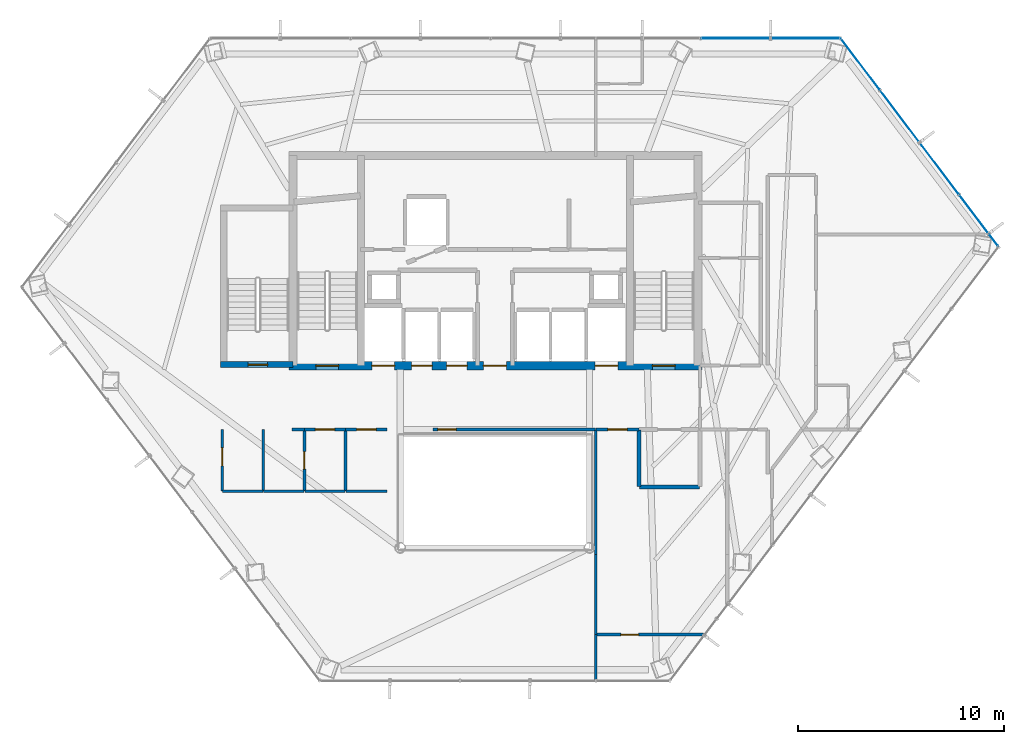
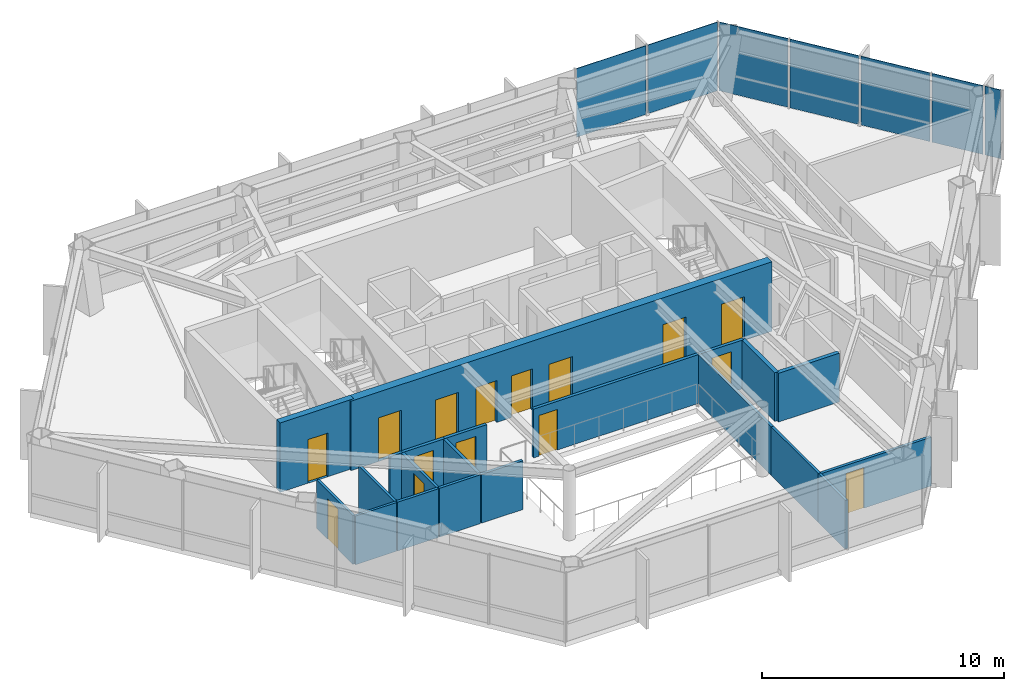
# One storey, part 25 of 29: 21 walls, 15 doors, 7 plates, 15 openings, 2 elements without a shape of their own.
"""IFC4 building model written with IfcOpenShell, lengths in metres."""

from ifc_helpers import new_model, si_unit, direction, frame, frame_2d, origin, origin_2d, place, context, subcontext, project, spatial, rectangle, extrude, material, layer, layer_set, type_object, element, fill, aggregate, save


model = new_model("IFC4")

# Units and contexts
model_context = context("Model", 3, precision=1e-05, world=origin(), true_north=direction((0.0, 1.0)))
body_context = subcontext(model_context, "Body", "Model", "MODEL_VIEW")
ifc_project = project(units=[si_unit("LENGTHUNIT", "METRE"), si_unit("AREAUNIT", "SQUARE_METRE"), si_unit("VOLUMEUNIT", "CUBIC_METRE"), si_unit("PLANEANGLEUNIT", "RADIAN"), si_unit("MASSUNIT", "GRAM", prefix="KILO")], contexts=[model_context])

# Site, building, storey
site_placement = place(None, origin())
site = spatial("IfcSite", under=ifc_project, at=site_placement, CompositionType="ELEMENT")
building_placement = place(site_placement, origin())
building = spatial("IfcBuilding", under=site, at=building_placement, Name="Zarrinselat Tower", CompositionType="ELEMENT")
storey_placement = place(building_placement, frame((0.0, 0.0, 142.1201171875)))
storey = spatial("IfcBuildingStorey", under=building, at=storey_placement, Name="L34", CompositionType="ELEMENT", Elevation=142.1201171875)

# Curtain wall, plates
ifc_material_1 = material(Name="Extruded Aluminium Alloy EN AW-6063 T6", Category="aluminium")
ifc_layer_1 = layer(ifc_material_1, 0.175048828125)
ifc_layer_set_1 = layer_set([ifc_layer_1], Name="Extruded Aluminium Alloy EN AW-6063 T6")
curtain_wall_type = type_object("IfcCurtainWallType", Name="CWS-HTL", PredefinedType="NOTDEFINED", material=ifc_layer_set_1)
curtain_wall_1_placement = place(storey_placement, origin())
curtain_wall_1 = element("IfcCurtainWall", 1, at=curtain_wall_1_placement, inside=storey, type_object=curtain_wall_type, Name="L34 Unitised Curtain Wall CW-L34-E01", PredefinedType="NOTDEFINED")
ifc_material_2 = material(Name="Double Low-E Laminated Solar Glass", Category="glass")
ifc_layer_2 = layer(ifc_material_2, 0.028076171875)
ifc_layer_set_2 = layer_set([ifc_layer_2], Name="Double Low-E Laminated Solar Glass")
plate_type = type_object("IfcPlateType", Name="PLT-CW-GL28", PredefinedType="CURTAIN_PANEL", material=ifc_layer_set_2)
plate_1_placement = place(storey_placement, frame((53.487548828125, 49.14990234375, 0.02001953125), z_axis=(0.0, 0.0, 1.0), x_axis=(-1.0, 0.0, 0.0)))
plate_1 = element("IfcPlate", 2, at=plate_1_placement, type_object=plate_type, Name="CW-L34-E01 Vision Glass Panel 1", PredefinedType="CURTAIN_PANEL", context=body_context, shape_type="SweptSolid", body=[
    extrude(rectangle(XDim=3.30078125, YDim=0.028076171875, at=origin_2d()), origin(), (0.0, 0.0, 1.0), 3.4599609375),
])
plate_2_placement = place(storey_placement, frame((50.0869140625, 49.14990234375, 0.02001953125), z_axis=(0.0, 0.0, 1.0), x_axis=(-1.0, 0.0, 0.0)))
plate_2 = element("IfcPlate", 3, at=plate_2_placement, type_object=plate_type, Name="CW-L34-E01 Vision Glass Panel 2", PredefinedType="CURTAIN_PANEL", context=body_context, shape_type="SweptSolid", body=[
    extrude(rectangle(XDim=3.30078125, YDim=0.028076171875, at=origin_2d()), origin(), (0.0, 0.0, 1.0), 3.4599609375),
])
aggregate(curtain_wall_1, [plate_1, plate_2])

curtain_wall_2_placement = place(storey_placement, origin())
curtain_wall_2 = element("IfcCurtainWall", 4, at=curtain_wall_2_placement, inside=storey, type_object=curtain_wall_type, Name="L34 Unitised Curtain Wall CW-L34-E06", PredefinedType="NOTDEFINED")
plate_3_placement = place(storey_placement, frame((62.62109375, 39.338134765625, 0.02001953125), z_axis=(0.0, 0.0, 1.0), x_axis=(-0.60385935447, 0.79709088567, 0.0)))
plate_3 = element("IfcPlate", 5, at=plate_3_placement, type_object=plate_type, Name="CW-L34-E06 Vision Glass Panel 1", PredefinedType="CURTAIN_PANEL", context=body_context, shape_type="SweptSolid", body=[
    extrude(rectangle(XDim=0.697998046875, YDim=0.028076171875, at=origin_2d()), origin(), (0.0, 0.0, 1.0), 3.4599609375),
])
plate_4_placement = place(storey_placement, frame((61.662109375, 40.6044921875, 0.02001953125), z_axis=(0.0, 0.0, 1.0), x_axis=(-0.60385935447, 0.79709088567, 0.0)))
plate_4 = element("IfcPlate", 6, at=plate_4_placement, type_object=plate_type, Name="CW-L34-E06 Vision Glass Panel 2", PredefinedType="CURTAIN_PANEL", context=body_context, shape_type="SweptSolid", body=[
    extrude(rectangle(XDim=2.279052734375, YDim=0.028076171875, at=origin_2d()), origin(), (0.0, 0.0, 1.0), 3.4599609375),
])
plate_5_placement = place(storey_placement, frame((59.984375, 42.81884765625, 0.02001953125), z_axis=(0.0, 0.0, 1.0), x_axis=(-0.60385935447, 0.79709088567, 0.0)))
plate_5 = element("IfcPlate", 7, at=plate_5_placement, type_object=plate_type, Name="CW-L34-E06 Vision Glass Panel 3", PredefinedType="CURTAIN_PANEL", context=body_context, shape_type="SweptSolid", body=[
    extrude(rectangle(XDim=3.0771484375, YDim=0.028076171875, at=origin_2d()), origin(), (0.0, 0.0, 1.0), 3.4599609375),
])
plate_6_placement = place(storey_placement, frame((58.06591796875, 45.351318359375, 0.02001953125), z_axis=(0.0, 0.0, 1.0), x_axis=(-0.60385935447, 0.79709088567, 0.0)))
plate_6 = element("IfcPlate", 8, at=plate_6_placement, type_object=plate_type, Name="CW-L34-E06 Vision Glass Panel 4", PredefinedType="CURTAIN_PANEL", context=body_context, shape_type="SweptSolid", body=[
    extrude(rectangle(XDim=3.0771484375, YDim=0.028076171875, at=origin_2d()), origin(), (0.0, 0.0, 1.0), 3.4599609375),
])
plate_7_placement = place(storey_placement, frame((56.147216796875, 47.8837890625, 0.02001953125), z_axis=(0.0, 0.0, 1.0), x_axis=(-0.60385935447, 0.79709088567, 0.0)))
plate_7 = element("IfcPlate", 9, at=plate_7_placement, type_object=plate_type, Name="CW-L34-E06 Vision Glass Panel 5", PredefinedType="CURTAIN_PANEL", context=body_context, shape_type="SweptSolid", body=[
    extrude(rectangle(XDim=3.0771484375, YDim=0.028076171875, at=origin_2d()), origin(), (0.0, 0.0, 1.0), 3.4599609375),
])
aggregate(curtain_wall_2, [plate_3, plate_4, plate_5, plate_6, plate_7])

# Walls
ifc_material_3 = material(Name="Concrete C40/50", Category="concrete")
ifc_layer_3 = layer(ifc_material_3, 0.18994140625)
ifc_layer_set_3 = layer_set([ifc_layer_3], Name="Concrete C40/50")
wall_type_1 = type_object("IfcWallType", Name="WAL-PART-EI120", PredefinedType="PARTITIONING", material=ifc_layer_set_3)
wall_1_placement = place(storey_placement, frame((45.419921875, 27.35009765625, 0.0), z_axis=(0.0, 0.0, 1.0), x_axis=(1.0, 0.0, 0.0)))
element("IfcWall", 10, at=wall_1_placement, inside=storey, type_object=wall_type_1, Name="L34 Partition Wall 19", PredefinedType="PARTITIONING", context=body_context, shape_type="SweptSolid", body=[
    extrude(rectangle(XDim=2.91015625, YDim=0.18994140625, at=frame_2d((1.455078125, 0.0))), origin(), (0.0, 0.0, 1.0), 2.456787109375),
])
wall_2_placement = place(storey_placement, frame((45.39990234375, 27.3701171875, 0.0), z_axis=(0.0, 0.0, 1.0), x_axis=(0.0, 1.0, 0.0)))
element("IfcWall", 11, at=wall_2_placement, inside=storey, type_object=wall_type_1, Name="L34 Partition Wall 20", PredefinedType="PARTITIONING", context=body_context, shape_type="SweptSolid", body=[
    extrude(rectangle(XDim=2.759765625, YDim=0.18994140625, at=frame_2d((1.3798828125, 0.0))), origin(), (0.0, 0.0, 1.0), 2.456787109375),
])
ifc_material_4 = material(Name="Fire-Rated Gypsum Board Partition", Category="gypsum")
ifc_layer_4 = layer(ifc_material_4, 0.14990234375)
ifc_layer_set_4 = layer_set([ifc_layer_4], Name="Fire-Rated Gypsum Board Partition")
wall_type_2 = type_object("IfcWallType", Name="WAL-PART-EI60", PredefinedType="PARTITIONING", material=ifc_layer_set_4)
wall_3_placement = place(storey_placement, frame((28.550048828125, 30.14990234375, 0.0), z_axis=(0.0, 0.0, 1.0), x_axis=(1.0, 0.0, 0.0)))
element("IfcWall", 12, at=wall_3_placement, inside=storey, type_object=wall_type_2, Name="L34 Partition Wall 14", PredefinedType="PARTITIONING", context=body_context, shape_type="SweptSolid", body=[
    extrude(rectangle(XDim=0.594970703125, YDim=0.14990234375, at=frame_2d((0.29736328125, 0.0))), origin(), (0.0, 0.0, 1.0), 2.456787109375),
])

# Wall, opening, door
wall_4_placement = place(storey_placement, frame((29.155029296875, 30.14990234375, 0.0), z_axis=(0.0, 0.0, 1.0), x_axis=(1.0, 0.0, 0.0)))
wall_4 = element("IfcWall", 13, at=wall_4_placement, inside=storey, type_object=wall_type_2, Name="L34 Partition Wall 15", PredefinedType="PARTITIONING", context=body_context, shape_type="SweptSolid", body=[
    extrude(rectangle(XDim=1.989990234375, YDim=0.14990234375, at=frame_2d((0.9951171875, 0.0))), origin(), (0.0, 0.0, 1.0), 2.456787109375),
])
opening_1_placement = place(wall_4_placement, frame((0.52490234375, 0.0, 0.0)))
opening_1 = element("IfcOpeningElement", 14, at=opening_1_placement, cuts=wall_4, Name="Opening ID-04", PredefinedType="OPENING", context=body_context, shape_type="SweptSolid", body=[
    extrude(rectangle(XDim=0.93994140625, YDim=2.050048828125, at=frame_2d((0.469970703125, 1.02490234375))), frame((0.0, 0.0849609375, 0.0), z_axis=(0.0, -1.0, 0.0), x_axis=(1.0, 0.0, 0.0)), (0.0, 0.0, 1.0), 0.169921875),
])
ifc_material_5 = material(Name="Fire-Rated Gypsum Board Partition")
door_type_1 = type_object("IfcDoorType", Name="DR-INT-FD30-ENT", OperationType="NOTDEFINED", PredefinedType="DOOR", material=ifc_material_5)
door_1_placement = place(opening_1_placement, origin())
door_1 = element("IfcDoor", 15, at=door_1_placement, inside=storey, type_object=door_type_1, Name="L34 Interior Door P15", OperationType="SINGLE_SWING_RIGHT", OverallHeight=2.050048828125, OverallWidth=0.93994140625, PredefinedType="DOOR", context=body_context, shape_type="SweptSolid", body=[
    extrude(rectangle(XDim=0.93994140625, YDim=2.050048828125, at=frame_2d((0.469970703125, 1.02490234375))), frame((0.0, 0.02490234375, 0.0), z_axis=(0.0, -1.0, 0.0), x_axis=(1.0, 0.0, 0.0)), (0.0, 0.0, 1.0), 0.050048828125),
])
fill(opening_1, door_1)

wall_5_placement = place(storey_placement, frame((31.155029296875, 30.14990234375, 0.0), z_axis=(0.0, 0.0, 1.0), x_axis=(1.0, 0.0, 0.0)))
wall_5 = element("IfcWall", 16, at=wall_5_placement, inside=storey, type_object=wall_type_2, Name="L34 Partition Wall 16", PredefinedType="PARTITIONING", context=body_context, shape_type="SweptSolid", body=[
    extrude(rectangle(XDim=2.010009765625, YDim=0.14990234375, at=frame_2d((1.0048828125, 0.0))), origin(), (0.0, 0.0, 1.0), 2.456787109375),
])
opening_2_placement = place(wall_5_placement, frame((0.534912109375, 0.0, 0.0)))
opening_2 = element("IfcOpeningElement", 17, at=opening_2_placement, cuts=wall_5, Name="Opening ID-04", PredefinedType="OPENING", context=body_context, shape_type="SweptSolid", body=[
    extrude(rectangle(XDim=0.93994140625, YDim=2.050048828125, at=frame_2d((0.469970703125, 1.02490234375))), frame((0.0, 0.0849609375, 0.0), z_axis=(0.0, -1.0, 0.0), x_axis=(1.0, 0.0, 0.0)), (0.0, 0.0, 1.0), 0.169921875),
])
door_2_placement = place(opening_2_placement, origin())
door_2 = element("IfcDoor", 18, at=door_2_placement, inside=storey, type_object=door_type_1, Name="L34 Interior Door P16", OperationType="SINGLE_SWING_LEFT", OverallHeight=2.050048828125, OverallWidth=0.93994140625, PredefinedType="DOOR", context=body_context, shape_type="SweptSolid", body=[
    extrude(rectangle(XDim=0.93994140625, YDim=2.050048828125, at=frame_2d((0.469970703125, 1.02490234375))), frame((0.0, 0.02490234375, 0.0), z_axis=(0.0, -1.0, 0.0), x_axis=(1.0, 0.0, 0.0)), (0.0, 0.0, 1.0), 0.050048828125),
])
fill(opening_2, door_2)

wall_6_placement = place(storey_placement, frame((35.385009765625, 30.14990234375, 0.0), z_axis=(0.0, 0.0, 1.0), x_axis=(1.0, 0.0, 0.0)))
wall_6 = element("IfcWall", 19, at=wall_6_placement, inside=storey, type_object=wall_type_2, Name="L34 Partition Wall 17", PredefinedType="PARTITIONING", context=body_context, shape_type="SweptSolid", body=[
    extrude(rectangle(XDim=7.909912109375, YDim=0.14990234375, at=frame_2d((3.955078125, 0.0))), origin(), (0.0, 0.0, 1.0), 2.456787109375),
])
opening_3_placement = place(wall_6_placement, frame((0.25, 0.0, 0.0)))
opening_3 = element("IfcOpeningElement", 20, at=opening_3_placement, cuts=wall_6, Name="Opening ID-03", PredefinedType="OPENING", context=body_context, shape_type="SweptSolid", body=[
    extrude(rectangle(XDim=0.8798828125, YDim=2.050048828125, at=frame_2d((0.43994140625, 1.02490234375))), frame((0.0, 0.0849609375, 0.0), z_axis=(0.0, -1.0, 0.0), x_axis=(1.0, 0.0, 0.0)), (0.0, 0.0, 1.0), 0.169921875),
])
ifc_material_6 = material(Name="Steel S355J2", Category="steel")
door_type_2 = type_object("IfcDoorType", Name="DR-INT-FD60-S", OperationType="NOTDEFINED", PredefinedType="DOOR", material=ifc_material_6)
door_3_placement = place(opening_3_placement, origin())
door_3 = element("IfcDoor", 21, at=door_3_placement, inside=storey, type_object=door_type_2, Name="L34 Interior Door P17", OperationType="SINGLE_SWING_RIGHT", OverallHeight=2.050048828125, OverallWidth=0.8798828125, PredefinedType="DOOR", context=body_context, shape_type="SweptSolid", body=[
    extrude(rectangle(XDim=0.8798828125, YDim=2.050048828125, at=frame_2d((0.43994140625, 1.02490234375))), frame((0.0, 0.02490234375, 0.0), z_axis=(0.0, -1.0, 0.0), x_axis=(1.0, 0.0, 0.0)), (0.0, 0.0, 1.0), 0.050048828125),
])
fill(opening_3, door_3)

wall_7_placement = place(storey_placement, frame((43.304931640625, 30.14990234375, 0.0), z_axis=(0.0, 0.0, 1.0), x_axis=(1.0, 0.0, 0.0)))
wall_7 = element("IfcWall", 22, at=wall_7_placement, inside=storey, type_object=wall_type_2, Name="L34 Partition Wall 18", PredefinedType="PARTITIONING", context=body_context, shape_type="SweptSolid", body=[
    extrude(rectangle(XDim=2.090087890625, YDim=0.14990234375, at=frame_2d((1.044921875, 0.0))), origin(), (0.0, 0.0, 1.0), 2.456787109375),
])
opening_4_placement = place(wall_7_placement, frame((0.574951171875, 0.0, 0.0)))
opening_4 = element("IfcOpeningElement", 23, at=opening_4_placement, cuts=wall_7, Name="Opening ID-04", PredefinedType="OPENING", context=body_context, shape_type="SweptSolid", body=[
    extrude(rectangle(XDim=0.93994140625, YDim=2.050048828125, at=frame_2d((0.469970703125, 1.02490234375))), frame((0.0, 0.0849609375, 0.0), z_axis=(0.0, -1.0, 0.0), x_axis=(1.0, 0.0, 0.0)), (0.0, 0.0, 1.0), 0.169921875),
])
door_4_placement = place(opening_4_placement, origin())
door_4 = element("IfcDoor", 24, at=door_4_placement, inside=storey, type_object=door_type_1, Name="L34 Interior Door P18", OperationType="SINGLE_SWING_LEFT", OverallHeight=2.050048828125, OverallWidth=0.93994140625, PredefinedType="DOOR", context=body_context, shape_type="SweptSolid", body=[
    extrude(rectangle(XDim=0.93994140625, YDim=2.050048828125, at=frame_2d((0.469970703125, 1.02490234375))), frame((0.0, 0.02490234375, 0.0), z_axis=(0.0, -1.0, 0.0), x_axis=(1.0, 0.0, 0.0)), (0.0, 0.0, 1.0), 0.050048828125),
])
fill(opening_4, door_4)

# Wall
ifc_material_7 = material(Name="Fire-Rated Gypsum Board Partition", Category="gypsum")
ifc_layer_5 = layer(ifc_material_7, 0.1201171875)
ifc_layer_set_5 = layer_set([ifc_layer_5], Name="Fire-Rated Gypsum Board Partition")
wall_type_3 = type_object("IfcWallType", Name="WAL-PART-STD", PredefinedType="PARTITIONING", material=ifc_layer_set_5)
wall_8_placement = place(storey_placement, frame((25.169921875, 27.14990234375, 0.0), z_axis=(0.0, 0.0, 1.0), x_axis=(1.0, 0.0, 0.0)))
element("IfcWall", 25, at=wall_8_placement, inside=storey, type_object=wall_type_3, Name="L34 Partition Wall 35", PredefinedType="PARTITIONING", context=body_context, shape_type="SweptSolid", body=[
    extrude(rectangle(XDim=1.9599609375, YDim=0.1201171875, at=frame_2d((0.97998046875, 0.0))), origin(), (0.0, 0.0, 1.0), 2.456787109375),
])

# Wall, opening, door
wall_9_placement = place(storey_placement, frame((25.14990234375, 27.169921875, 0.0), z_axis=(0.0, 0.0, 1.0), x_axis=(0.0, 1.0, 0.0)))
wall_9 = element("IfcWall", 26, at=wall_9_placement, inside=storey, type_object=wall_type_3, Name="L34 Partition Wall 36", PredefinedType="PARTITIONING", context=body_context, shape_type="SweptSolid", body=[
    extrude(rectangle(XDim=2.97998046875, YDim=0.1201171875, at=frame_2d((1.489990234375, 0.0))), origin(), (0.0, 0.0, 1.0), 2.456787109375),
])
opening_5_placement = place(wall_9_placement, frame((1.2099609375, 0.0, 0.0)))
opening_5 = element("IfcOpeningElement", 27, at=opening_5_placement, cuts=wall_9, Name="Opening ID-03", PredefinedType="OPENING", context=body_context, shape_type="SweptSolid", body=[
    extrude(rectangle(XDim=0.8798828125, YDim=2.050048828125, at=frame_2d((0.43994140625, 1.02490234375))), frame((0.0, 0.070068359375, 0.0), z_axis=(0.0, -1.0, 0.0), x_axis=(1.0, 0.0, 0.0)), (0.0, 0.0, 1.0), 0.14013671875),
])
door_5_placement = place(opening_5_placement, origin())
door_5 = element("IfcDoor", 28, at=door_5_placement, inside=storey, type_object=door_type_2, Name="L34 Interior Door P36", OperationType="SINGLE_SWING_RIGHT", OverallHeight=2.050048828125, OverallWidth=0.8798828125, PredefinedType="DOOR", context=body_context, shape_type="SweptSolid", body=[
    extrude(rectangle(XDim=0.8798828125, YDim=2.050048828125, at=frame_2d((0.43994140625, 1.02490234375))), frame((0.0, 0.02490234375, 0.0), z_axis=(0.0, -1.0, 0.0), x_axis=(1.0, 0.0, 0.0)), (0.0, 0.0, 1.0), 0.050048828125),
])
fill(opening_5, door_5)

# Walls
wall_10_placement = place(storey_placement, frame((43.300048828125, 24.077880859375, 0.0), z_axis=(0.0, 0.0, 1.0), x_axis=(0.0, 1.0, 0.0)))
element("IfcWall", 29, at=wall_10_placement, inside=storey, type_object=wall_type_3, Name="L34 Partition Wall 42", PredefinedType="PARTITIONING", context=body_context, shape_type="SweptSolid", body=[
    extrude(rectangle(XDim=6.052001953125, YDim=0.1201171875, at=frame_2d((3.02587890625, 0.0))), origin(), (0.0, 0.0, 1.0), 2.456787109375),
])
wall_11_placement = place(storey_placement, frame((43.300048828125, 20.19677734375, 0.0), z_axis=(0.0, 0.0, 1.0), x_axis=(0.0, 1.0, 0.0)))
element("IfcWall", 30, at=wall_11_placement, inside=storey, type_object=wall_type_3, Name="L34 Partition Wall 43", PredefinedType="PARTITIONING", context=body_context, shape_type="SweptSolid", body=[
    extrude(rectangle(XDim=3.881103515625, YDim=0.1201171875, at=frame_2d((1.9404296875, 0.0))), origin(), (0.0, 0.0, 1.0), 2.456787109375),
])
ifc_material_8 = material(Name="Fire-Rated Gypsum Board Partition", Category="gypsum")
ifc_layer_6 = layer(ifc_material_8, 0.135009765625)
ifc_layer_set_6 = layer_set([ifc_layer_6], Name="Fire-Rated Gypsum Board Partition")
wall_type_4 = type_object("IfcWallType", Name="WAL-PART-WET", PredefinedType="PARTITIONING", material=ifc_layer_set_6)
wall_12_placement = place(storey_placement, frame((27.14990234375, 27.169921875, 0.0), z_axis=(0.0, 0.0, 1.0), x_axis=(0.0, 1.0, 0.0)))
element("IfcWall", 31, at=wall_12_placement, inside=storey, type_object=wall_type_4, Name="L34 Partition Wall 34", PredefinedType="PARTITIONING", context=body_context, shape_type="SweptSolid", body=[
    extrude(rectangle(XDim=2.97998046875, YDim=0.135009765625, at=frame_2d((1.489990234375, 0.0))), origin(), (0.0, 0.0, 1.0), 2.456787109375),
])

# Wall, opening, door
wall_13_placement = place(storey_placement, frame((29.14990234375, 27.169921875, 0.0), z_axis=(0.0, 0.0, 1.0), x_axis=(0.0, 1.0, 0.0)))
wall_13 = element("IfcWall", 32, at=wall_13_placement, inside=storey, type_object=wall_type_4, Name="L34 Partition Wall 37", PredefinedType="PARTITIONING", context=body_context, shape_type="SweptSolid", body=[
    extrude(rectangle(XDim=2.9599609375, YDim=0.135009765625, at=frame_2d((1.47998046875, 0.0))), origin(), (0.0, 0.0, 1.0), 2.456787109375),
])
opening_6_placement = place(wall_13_placement, frame((1.050048828125, 0.0, 0.0)))
opening_6 = element("IfcOpeningElement", 33, at=opening_6_placement, cuts=wall_13, Name="Opening ID-06", PredefinedType="OPENING", context=body_context, shape_type="SweptSolid", body=[
    extrude(rectangle(XDim=0.860107421875, YDim=2.050048828125, at=frame_2d((0.43017578125, 1.02490234375))), frame((0.0, 0.077392578125, 0.0), z_axis=(0.0, -1.0, 0.0), x_axis=(1.0, 0.0, 0.0)), (0.0, 0.0, 1.0), 0.155029296875),
])
ifc_material_9 = material(Name="Extruded Aluminium Alloy EN AW-6063 T6", Category="aluminium")
door_type_3 = type_object("IfcDoorType", Name="DR-INT-WET-900", OperationType="NOTDEFINED", PredefinedType="DOOR", material=ifc_material_9)
door_6_placement = place(opening_6_placement, origin())
door_6 = element("IfcDoor", 34, at=door_6_placement, inside=storey, type_object=door_type_3, Name="L34 Interior Door P37", OperationType="SINGLE_SWING_LEFT", OverallHeight=2.050048828125, OverallWidth=0.860107421875, PredefinedType="DOOR", context=body_context, shape_type="SweptSolid", body=[
    extrude(rectangle(XDim=0.860107421875, YDim=2.050048828125, at=frame_2d((0.43017578125, 1.02490234375))), frame((0.0, 0.02490234375, 0.0), z_axis=(0.0, -1.0, 0.0), x_axis=(1.0, 0.0, 0.0)), (0.0, 0.0, 1.0), 0.050048828125),
])
fill(opening_6, door_6)

# Walls
wall_14_placement = place(storey_placement, frame((27.169921875, 27.14990234375, 0.0), z_axis=(0.0, 0.0, 1.0), x_axis=(1.0, 0.0, 0.0)))
element("IfcWall", 35, at=wall_14_placement, inside=storey, type_object=wall_type_4, Name="L34 Partition Wall 38", PredefinedType="PARTITIONING", context=body_context, shape_type="SweptSolid", body=[
    extrude(rectangle(XDim=1.9599609375, YDim=0.135009765625, at=frame_2d((0.97998046875, 0.0))), origin(), (0.0, 0.0, 1.0), 2.456787109375),
])
wall_15_placement = place(storey_placement, frame((31.14990234375, 27.169921875, 0.0), z_axis=(0.0, 0.0, 1.0), x_axis=(0.0, 1.0, 0.0)))
element("IfcWall", 36, at=wall_15_placement, inside=storey, type_object=wall_type_4, Name="L34 Partition Wall 39", PredefinedType="PARTITIONING", context=body_context, shape_type="SweptSolid", body=[
    extrude(rectangle(XDim=2.9599609375, YDim=0.135009765625, at=frame_2d((1.47998046875, 0.0))), origin(), (0.0, 0.0, 1.0), 2.456787109375),
])
wall_16_placement = place(storey_placement, frame((29.169921875, 27.14990234375, 0.0), z_axis=(0.0, 0.0, 1.0), x_axis=(1.0, 0.0, 0.0)))
element("IfcWall", 37, at=wall_16_placement, inside=storey, type_object=wall_type_4, Name="L34 Partition Wall 40", PredefinedType="PARTITIONING", context=body_context, shape_type="SweptSolid", body=[
    extrude(rectangle(XDim=1.9599609375, YDim=0.135009765625, at=frame_2d((0.97998046875, 0.0))), origin(), (0.0, 0.0, 1.0), 2.456787109375),
])
wall_17_placement = place(storey_placement, frame((31.169921875, 27.14990234375, 0.0), z_axis=(0.0, 0.0, 1.0), x_axis=(1.0, 0.0, 0.0)))
element("IfcWall", 38, at=wall_17_placement, inside=storey, type_object=wall_type_4, Name="L34 Partition Wall 41", PredefinedType="PARTITIONING", context=body_context, shape_type="SweptSolid", body=[
    extrude(rectangle(XDim=1.97998046875, YDim=0.135009765625, at=frame_2d((0.989990234375, 0.0))), origin(), (0.0, 0.0, 1.0), 2.456787109375),
])
wall_18_placement = place(storey_placement, frame((43.300048828125, 17.960693359375, 0.0), z_axis=(0.0, 0.0, 1.0), x_axis=(0.0, 1.0, 0.0)))
element("IfcWall", 39, at=wall_18_placement, inside=storey, type_object=wall_type_4, Name="L34 Partition Wall 44", PredefinedType="PARTITIONING", context=body_context, shape_type="SweptSolid", body=[
    extrude(rectangle(XDim=2.22607421875, YDim=0.135009765625, at=frame_2d((1.113037109375, 0.0))), origin(), (0.0, 0.0, 1.0), 2.456787109375),
])

# Wall, opening, door
wall_19_placement = place(storey_placement, frame((43.320068359375, 20.19189453125, 0.0), z_axis=(0.0, 0.0, 1.0), x_axis=(1.0, 0.0, 0.0)))
wall_19 = element("IfcWall", 40, at=wall_19_placement, inside=storey, type_object=wall_type_4, Name="L34 Partition Wall 47", PredefinedType="PARTITIONING", context=body_context, shape_type="SweptSolid", body=[
    extrude(rectangle(XDim=5.263427734375, YDim=0.135009765625, at=frame_2d((2.6318359375, 0.0))), origin(), (0.0, 0.0, 1.0), 2.456787109375),
])
opening_7_placement = place(wall_19_placement, frame((1.20166015625, 0.0, 0.0)))
opening_7 = element("IfcOpeningElement", 41, at=opening_7_placement, cuts=wall_19, Name="Opening ID-06", PredefinedType="OPENING", context=body_context, shape_type="SweptSolid", body=[
    extrude(rectangle(XDim=0.860107421875, YDim=2.050048828125, at=frame_2d((0.43017578125, 1.02490234375))), frame((0.0, 0.077392578125, 0.0), z_axis=(0.0, -1.0, 0.0), x_axis=(1.0, 0.0, 0.0)), (0.0, 0.0, 1.0), 0.155029296875),
])
door_7_placement = place(opening_7_placement, origin())
door_7 = element("IfcDoor", 42, at=door_7_placement, inside=storey, type_object=door_type_3, Name="L34 Interior Door P47", OperationType="SINGLE_SWING_RIGHT", OverallHeight=2.050048828125, OverallWidth=0.860107421875, PredefinedType="DOOR", context=body_context, shape_type="SweptSolid", body=[
    extrude(rectangle(XDim=0.860107421875, YDim=2.050048828125, at=frame_2d((0.43017578125, 1.02490234375))), frame((0.0, 0.02490234375, 0.0), z_axis=(0.0, -1.0, 0.0), x_axis=(1.0, 0.0, 0.0)), (0.0, 0.0, 1.0), 0.050048828125),
])
fill(opening_7, door_7)

ifc_material_10 = material(Name="Concrete C40/50", Category="concrete")
ifc_layer_7 = layer(ifc_material_10, 0.300048828125)
ifc_layer_set_7 = layer_set([ifc_layer_7], Name="Concrete C40/50")
wall_type_5 = type_object("IfcWallType", Name="WAL-SHEAR-300", PredefinedType="SHEAR", material=ifc_layer_set_7)
wall_20_placement = place(storey_placement, frame((25.080078125, 33.300048828125, 0.0), z_axis=(0.0, 0.0, 1.0), x_axis=(1.0, 0.0, 0.0)))
wall_20 = element("IfcWall", 43, at=wall_20_placement, inside=storey, type_object=wall_type_5, Name="L34 Stair 3 South Shear Wall", PredefinedType="SHEAR", context=body_context, shape_type="SweptSolid", body=[
    extrude(rectangle(XDim=3.52001953125, YDim=0.300048828125, at=frame_2d((1.760009765625, 0.0))), origin(), (0.0, 0.0, 1.0), 3.5),
])
opening_8_placement = place(wall_20_placement, frame((1.3349609375, 0.0, 0.0)))
opening_8 = element("IfcOpeningElement", 44, at=opening_8_placement, cuts=wall_20, Name="Opening SD-02", PredefinedType="OPENING", context=body_context, shape_type="SweptSolid", body=[
    extrude(rectangle(XDim=0.949951171875, YDim=2.199951171875, at=frame_2d((0.47509765625, 1.10009765625))), frame((0.0, 0.159912109375, 0.0), z_axis=(0.0, -1.0, 0.0), x_axis=(1.0, 0.0, 0.0)), (0.0, 0.0, 1.0), 0.320068359375),
])
ifc_material_11 = material(Name="Steel S355J2", Category="steel")
door_type_4 = type_object("IfcDoorType", Name="DR-STAIR-1050", OperationType="NOTDEFINED", PredefinedType="DOOR", material=ifc_material_11)
door_8_placement = place(opening_8_placement, origin())
door_8 = element("IfcDoor", 45, at=door_8_placement, inside=storey, type_object=door_type_4, Name="L34 Exit Stair 3 Fire Door", OperationType="SINGLE_SWING_LEFT", OverallHeight=2.199951171875, OverallWidth=0.949951171875, PredefinedType="DOOR", context=body_context, shape_type="SweptSolid", body=[
    extrude(rectangle(XDim=0.949951171875, YDim=2.199951171875, at=frame_2d((0.47509765625, 1.10009765625))), frame((0.0, 0.02490234375, 0.0), z_axis=(0.0, -1.0, 0.0), x_axis=(1.0, 0.0, 0.0)), (0.0, 0.0, 1.0), 0.050048828125),
])
fill(opening_8, door_8)

# Wall, openings, doors
ifc_material_12 = material(Name="Concrete C60/75", Category="concrete")
ifc_layer_8 = layer(ifc_material_12, 0.39990234375)
ifc_layer_set_8 = layer_set([ifc_layer_8], Name="Concrete C60/75")
wall_type_6 = type_object("IfcWallType", Name="WAL-SHEAR-400", PredefinedType="SHEAR", material=ifc_layer_set_8)
wall_21_placement = place(storey_placement, frame((28.39990234375, 33.25, 0.0), z_axis=(0.0, 0.0, 1.0), x_axis=(1.0, 0.0, 0.0)))
wall_21 = element("IfcWall", 46, at=wall_21_placement, inside=storey, type_object=wall_type_6, Name="L34 South Core Shear Wall", PredefinedType="SHEAR", context=body_context, shape_type="SweptSolid", body=[
    extrude(rectangle(XDim=20.06005859375, YDim=0.39990234375, at=frame_2d((10.030029296875, 0.0))), origin(), (0.0, 0.0, 1.0), 3.5),
])
opening_9_placement = place(wall_21_placement, frame((4.030029296875, 0.0, 0.0)))
opening_9 = element("IfcOpeningElement", 47, at=opening_9_placement, cuts=wall_21, Name="Opening LD-FFL1", PredefinedType="OPENING", context=body_context, shape_type="SweptSolid", body=[
    extrude(rectangle(XDim=1.10009765625, YDim=2.14990234375, at=frame_2d((0.550048828125, 1.074951171875))), frame((0.0, 0.2099609375, 0.0), z_axis=(0.0, -1.0, 0.0), x_axis=(1.0, 0.0, 0.0)), (0.0, 0.0, 1.0), 0.419921875),
])
opening_10_placement = place(wall_21_placement, frame((14.8701171875, 0.0, 0.0)))
opening_10 = element("IfcOpeningElement", 48, at=opening_10_placement, cuts=wall_21, Name="Opening LD-FFL2", PredefinedType="OPENING", context=body_context, shape_type="SweptSolid", body=[
    extrude(rectangle(XDim=1.10009765625, YDim=2.14990234375, at=frame_2d((0.550048828125, 1.074951171875))), frame((0.0, 0.2099609375, 0.0), z_axis=(0.0, -1.0, 0.0), x_axis=(1.0, 0.0, 0.0)), (0.0, 0.0, 1.0), 0.419921875),
])
opening_11_placement = place(wall_21_placement, frame((5.949951171875, 0.0, 0.0)))
opening_11 = element("IfcOpeningElement", 49, at=opening_11_placement, cuts=wall_21, Name="Opening LD-PL5", PredefinedType="OPENING", context=body_context, shape_type="SweptSolid", body=[
    extrude(rectangle(XDim=1.0, YDim=2.10009765625, at=frame_2d((0.5, 1.050048828125))), frame((0.0, 0.2099609375, 0.0), z_axis=(0.0, -1.0, 0.0), x_axis=(1.0, 0.0, 0.0)), (0.0, 0.0, 1.0), 0.419921875),
])
opening_12_placement = place(wall_21_placement, frame((7.64990234375, 0.0, 0.0)))
opening_12 = element("IfcOpeningElement", 50, at=opening_12_placement, cuts=wall_21, Name="Opening LD-PL6", PredefinedType="OPENING", context=body_context, shape_type="SweptSolid", body=[
    extrude(rectangle(XDim=1.0, YDim=2.10009765625, at=frame_2d((0.5, 1.050048828125))), frame((0.0, 0.2099609375, 0.0), z_axis=(0.0, -1.0, 0.0), x_axis=(1.0, 0.0, 0.0)), (0.0, 0.0, 1.0), 0.419921875),
])
opening_13_placement = place(wall_21_placement, frame((1.31005859375, 0.0, 0.0)))
opening_13 = element("IfcOpeningElement", 51, at=opening_13_placement, cuts=wall_21, Name="Opening SD-01", PredefinedType="OPENING", context=body_context, shape_type="SweptSolid", body=[
    extrude(rectangle(XDim=1.10009765625, YDim=2.199951171875, at=frame_2d((0.550048828125, 1.10009765625))), frame((0.0, 0.2099609375, 0.0), z_axis=(0.0, -1.0, 0.0), x_axis=(1.0, 0.0, 0.0)), (0.0, 0.0, 1.0), 0.419921875),
])
opening_14_placement = place(wall_21_placement, frame((9.43994140625, 0.0, 0.0)))
opening_14 = element("IfcOpeningElement", 52, at=opening_14_placement, cuts=wall_21, Name="Opening ID-02", PredefinedType="OPENING", context=body_context, shape_type="SweptSolid", body=[
    extrude(rectangle(XDim=1.1201171875, YDim=2.050048828125, at=frame_2d((0.56005859375, 1.02490234375))), frame((0.0, 0.2099609375, 0.0), z_axis=(0.0, -1.0, 0.0), x_axis=(1.0, 0.0, 0.0)), (0.0, 0.0, 1.0), 0.419921875),
])
opening_15_placement = place(wall_21_placement, frame((17.64990234375, 0.0, 0.0)))
opening_15 = element("IfcOpeningElement", 53, at=opening_15_placement, cuts=wall_21, Name="Opening SD-01", PredefinedType="OPENING", context=body_context, shape_type="SweptSolid", body=[
    extrude(rectangle(XDim=1.10009765625, YDim=2.199951171875, at=frame_2d((0.550048828125, 1.10009765625))), frame((0.0, 0.2099609375, 0.0), z_axis=(0.0, -1.0, 0.0), x_axis=(1.0, 0.0, 0.0)), (0.0, 0.0, 1.0), 0.419921875),
])
ifc_material_13 = material(Name="Steel S355J2", Category="steel")
door_type_5 = type_object("IfcDoorType", Name="DR-INT-FD60-W", OperationType="NOTDEFINED", PredefinedType="DOOR", material=ifc_material_13)
door_9_placement = place(opening_14_placement, origin())
door_9 = element("IfcDoor", 54, at=door_9_placement, inside=storey, type_object=door_type_5, Name="L34 Core Service Vestibule Fire Door", OperationType="SINGLE_SWING_RIGHT", OverallHeight=2.050048828125, OverallWidth=1.1201171875, PredefinedType="DOOR", context=body_context, shape_type="SweptSolid", body=[
    extrude(rectangle(XDim=1.1201171875, YDim=2.050048828125, at=frame_2d((0.56005859375, 1.02490234375))), frame((0.0, 0.02490234375, 0.0), z_axis=(0.0, -1.0, 0.0), x_axis=(1.0, 0.0, 0.0)), (0.0, 0.0, 1.0), 0.050048828125),
])
fill(opening_14, door_9)
ifc_material_14 = material(Name="Steel S355J2", Category="steel")
door_type_6 = type_object("IfcDoorType", Name="DR-LIFT-FF-1100", OperationType="NOTDEFINED", PredefinedType="DOOR", material=ifc_material_14)
door_10_placement = place(opening_9_placement, origin())
door_10 = element("IfcDoor", 55, at=door_10_placement, inside=storey, type_object=door_type_6, Name="L34 Lift FFL1 Sliding Landing Door", OperationType="SLIDING_TO_LEFT", OverallHeight=2.14990234375, OverallWidth=1.10009765625, PredefinedType="DOOR", context=body_context, shape_type="SweptSolid", body=[
    extrude(rectangle(XDim=1.10009765625, YDim=2.14990234375, at=frame_2d((0.550048828125, 1.074951171875))), frame((0.0, 0.02490234375, 0.0), z_axis=(0.0, -1.0, 0.0), x_axis=(1.0, 0.0, 0.0)), (0.0, 0.0, 1.0), 0.050048828125),
])
fill(opening_9, door_10)
door_11_placement = place(opening_10_placement, origin())
door_11 = element("IfcDoor", 56, at=door_11_placement, inside=storey, type_object=door_type_6, Name="L34 Lift FFL2 Sliding Landing Door", OperationType="SLIDING_TO_RIGHT", OverallHeight=2.14990234375, OverallWidth=1.10009765625, PredefinedType="DOOR", context=body_context, shape_type="SweptSolid", body=[
    extrude(rectangle(XDim=1.10009765625, YDim=2.14990234375, at=frame_2d((0.550048828125, 1.074951171875))), frame((0.0, 0.02490234375, 0.0), z_axis=(0.0, -1.0, 0.0), x_axis=(1.0, 0.0, 0.0)), (0.0, 0.0, 1.0), 0.050048828125),
])
fill(opening_10, door_11)
ifc_material_15 = material(Name="Steel S355J2", Category="steel")
door_type_7 = type_object("IfcDoorType", Name="DR-LIFT-PS-1000", OperationType="NOTDEFINED", PredefinedType="DOOR", material=ifc_material_15)
door_12_placement = place(opening_11_placement, origin())
door_12 = element("IfcDoor", 57, at=door_12_placement, inside=storey, type_object=door_type_7, Name="L34 Lift PL5 Sliding Landing Door", OperationType="SLIDING_TO_LEFT", OverallHeight=2.10009765625, OverallWidth=1.0, PredefinedType="DOOR", context=body_context, shape_type="SweptSolid", body=[
    extrude(rectangle(XDim=1.0, YDim=2.10009765625, at=frame_2d((0.5, 1.050048828125))), frame((0.0, 0.02490234375, 0.0), z_axis=(0.0, -1.0, 0.0), x_axis=(1.0, 0.0, 0.0)), (0.0, 0.0, 1.0), 0.050048828125),
])
fill(opening_11, door_12)
door_13_placement = place(opening_12_placement, origin())
door_13 = element("IfcDoor", 58, at=door_13_placement, inside=storey, type_object=door_type_7, Name="L34 Lift PL6 Sliding Landing Door", OperationType="SLIDING_TO_RIGHT", OverallHeight=2.10009765625, OverallWidth=1.0, PredefinedType="DOOR", context=body_context, shape_type="SweptSolid", body=[
    extrude(rectangle(XDim=1.0, YDim=2.10009765625, at=frame_2d((0.5, 1.050048828125))), frame((0.0, 0.02490234375, 0.0), z_axis=(0.0, -1.0, 0.0), x_axis=(1.0, 0.0, 0.0)), (0.0, 0.0, 1.0), 0.050048828125),
])
fill(opening_12, door_13)
ifc_material_16 = material(Name="Steel S355J2", Category="steel")
door_type_8 = type_object("IfcDoorType", Name="DR-STAIR-1100", OperationType="NOTDEFINED", PredefinedType="DOOR", material=ifc_material_16)
door_14_placement = place(opening_13_placement, origin())
door_14 = element("IfcDoor", 59, at=door_14_placement, inside=storey, type_object=door_type_8, Name="L34 Exit Stair 1 Fire Door", OperationType="SINGLE_SWING_LEFT", OverallHeight=2.199951171875, OverallWidth=1.10009765625, PredefinedType="DOOR", context=body_context, shape_type="SweptSolid", body=[
    extrude(rectangle(XDim=1.10009765625, YDim=2.199951171875, at=frame_2d((0.550048828125, 1.10009765625))), frame((0.0, 0.02490234375, 0.0), z_axis=(0.0, -1.0, 0.0), x_axis=(1.0, 0.0, 0.0)), (0.0, 0.0, 1.0), 0.050048828125),
])
fill(opening_13, door_14)
door_15_placement = place(opening_15_placement, origin())
door_15 = element("IfcDoor", 60, at=door_15_placement, inside=storey, type_object=door_type_8, Name="L34 Exit Stair 2 Fire Door", OperationType="SINGLE_SWING_RIGHT", OverallHeight=2.199951171875, OverallWidth=1.10009765625, PredefinedType="DOOR", context=body_context, shape_type="SweptSolid", body=[
    extrude(rectangle(XDim=1.10009765625, YDim=2.199951171875, at=frame_2d((0.550048828125, 1.10009765625))), frame((0.0, 0.02490234375, 0.0), z_axis=(0.0, -1.0, 0.0), x_axis=(1.0, 0.0, 0.0)), (0.0, 0.0, 1.0), 0.050048828125),
])
fill(opening_15, door_15)

save(model, "model.ifc")
